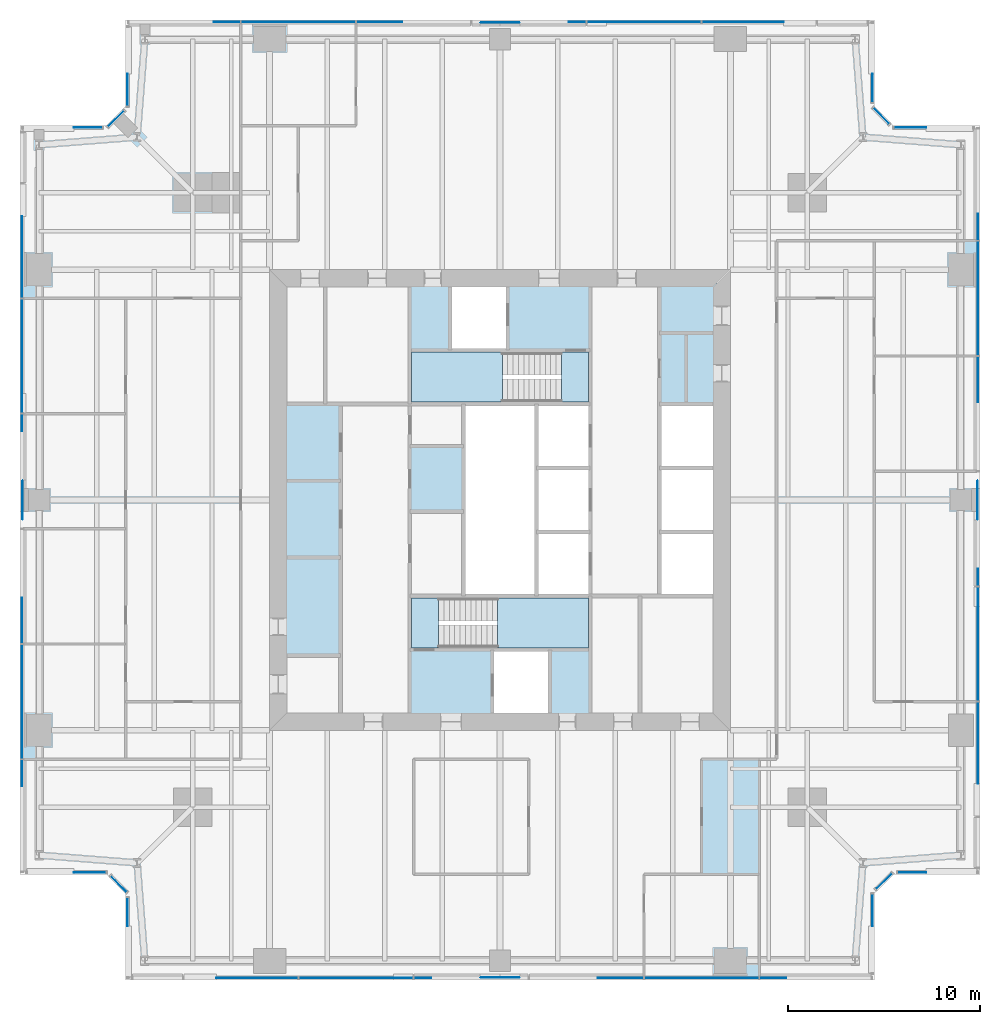
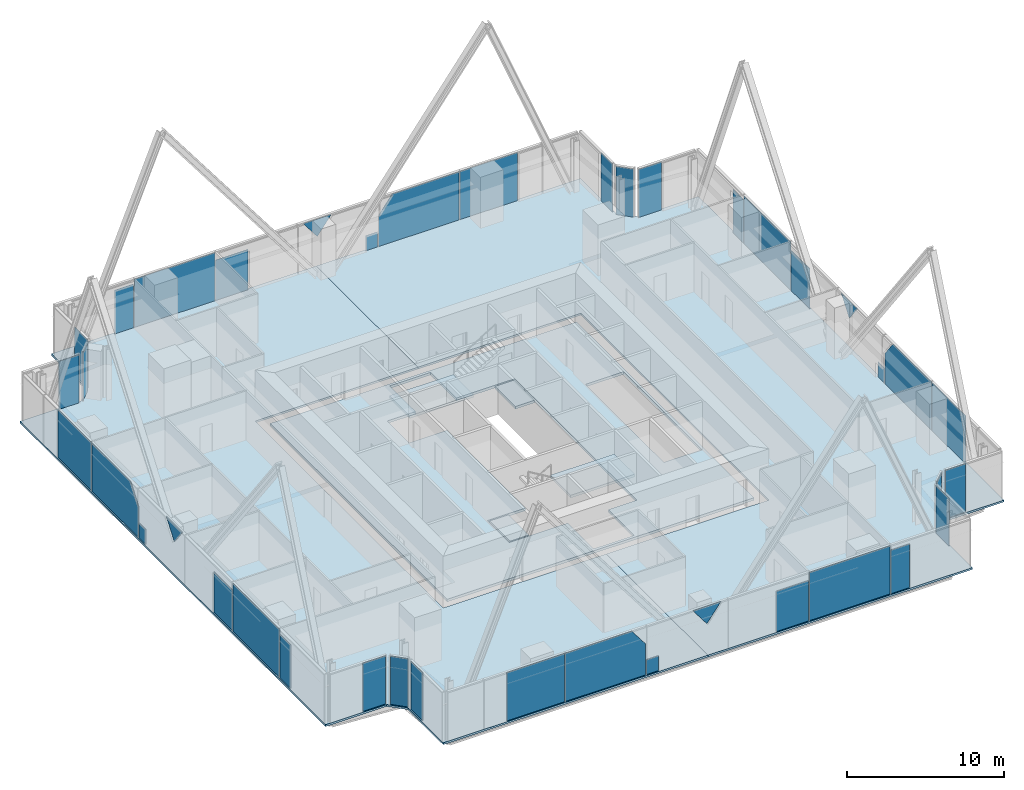
# One storey, part 8 of 14: 40 plates, 7 slabs, 18 elements without a shape of their own.
"""IFC4 building model written with IfcOpenShell, lengths in metres."""

import ifcopenshell
import ifcopenshell.guid

model = None  # the IFC model being written
_history = None  # IfcOwnerHistory: only IFC2X3 demands one
_inside = {}  # id of a spatial element -> (the spatial element, [elements in it])
_under = {}  # id of a project, library or spatial element -> (it, [spatial elements below it])
_declared = {}  # id of a project -> (the project, [libraries it declares])
_typed = {}  # id of a type object -> (the type object, [elements of that type])
_made_of = {}  # id of a material, layer set ... -> (it, [elements and type objects made of it])


def new_model(schema):
    """Start an empty IFC model of exactly this schema.

    Asked for "IFC4X3", IfcOpenShell would pick the latest addendum, in which some entities
    have other attributes; the version numbers below select the first issue.
    IFC2X3 requires an IfcOwnerHistory on every rooted entity: one is made here for all.
    """
    global model, _history
    if schema == "IFC4X3":
        model = ifcopenshell.file(schema_version=(4, 3, 0, 0))
    else:
        model = ifcopenshell.file(schema=schema)
    _inside.clear()
    _under.clear()
    _declared.clear()
    _typed.clear()
    _made_of.clear()
    _history = None
    if model.schema == "IFC2X3":
        org = make("IfcOrganization", Name="unknown")
        user = make(
            "IfcPersonAndOrganization",
            ThePerson=make("IfcPerson", FamilyName="unknown"),
            TheOrganization=org,
        )
        app = make(
            "IfcApplication",
            ApplicationDeveloper=org,
            Version="unknown",
            ApplicationFullName="unknown",
            ApplicationIdentifier="unknown",
        )
        _history = make(
            "IfcOwnerHistory",
            OwningUser=user,
            OwningApplication=app,
            ChangeAction="ADDED",
            CreationDate=0,
        )
    return model


def make(cls, **values):
    """One entity of the class cls with the attributes given. An attribute that is None is left unset."""
    return model.create_entity(
        cls, **{name: value for name, value in values.items() if value is not None}
    )


def rooted(cls, **values):
    """An entity with a GlobalId (a new one), such as an element, a storey or a relation."""
    return make(cls, GlobalId=ifcopenshell.guid.new(), OwnerHistory=_history, **values)


def si_unit(unit_type, name, prefix=None):
    """IfcSIUnit, for example si_unit("LENGTHUNIT", "METRE", prefix="MILLI")."""
    return make("IfcSIUnit", UnitType=unit_type, Prefix=prefix, Name=name)


def assignment(units):
    """IfcUnitAssignment: the units of a project."""
    return None if units is None else make("IfcUnitAssignment", Units=units)


def point(xyz):
    """IfcCartesianPoint."""
    return None if xyz is None else make("IfcCartesianPoint", Coordinates=xyz)


def direction(xyz):
    """IfcDirection."""
    return None if xyz is None else make("IfcDirection", DirectionRatios=xyz)


def frame(location, z_axis=None, x_axis=None):
    """IfcAxis2Placement3D, a coordinate frame: its origin and axes. An axis left out is left unset."""
    return make(
        "IfcAxis2Placement3D",
        Location=point(location),
        Axis=direction(z_axis),
        RefDirection=direction(x_axis),
    )


def frame_2d(location, x_axis=None):
    """IfcAxis2Placement2D, a coordinate frame in the plane: its origin and x axis."""
    return make(
        "IfcAxis2Placement2D", Location=point(location), RefDirection=direction(x_axis)
    )


def origin():
    """The frame at (0, 0, 0) with its axes left unset."""
    return frame((0.0, 0.0, 0.0))


def origin_2d():
    """The frame at (0, 0) in the plane with its x axis left unset."""
    return frame_2d((0.0, 0.0))


def place(relative_to, where):
    """IfcLocalPlacement: puts the frame where relative to a parent placement (None: the world)."""
    return make(
        "IfcLocalPlacement", PlacementRelTo=relative_to, RelativePlacement=where
    )


def context(
    kind, dimensions, precision=None, world=None, true_north=None, identifier=None
):
    """IfcGeometricRepresentationContext, for example the 3D "Model" context."""
    return make(
        "IfcGeometricRepresentationContext",
        ContextIdentifier=identifier,
        ContextType=kind,
        CoordinateSpaceDimension=dimensions,
        Precision=precision,
        WorldCoordinateSystem=world,
        TrueNorth=true_north,
    )


def subcontext(parent, identifier, kind, view, scale=None):
    """IfcGeometricRepresentationSubContext, for example "Body" below "Model"."""
    return make(
        "IfcGeometricRepresentationSubContext",
        ContextIdentifier=identifier,
        ContextType=kind,
        ParentContext=parent,
        TargetScale=scale,
        TargetView=view,
    )


def project(units=None, contexts=None):
    """IfcProject with its units and contexts."""
    return rooted(
        "IfcProject",
        Name="project",
        RepresentationContexts=contexts,
        UnitsInContext=assignment(units),
    )


def spatial(cls, under=None, at=None, **own):
    """A site, building, storey or space (cls), placed at a placement, below another one or the project."""
    s = rooted(cls, ObjectPlacement=at, **own)
    if under is not None:
        _under.setdefault(under.id(), (under, []))[1].append(s)
    return s


def polyline(points):
    """IfcPolyline through the points."""
    return make("IfcPolyline", Points=[point(p) for p in points])


def profile(cls, at=None, kind="AREA", **sizes):
    """A parametric profile (cls). Its sizes go by their IFC names, for example OverallWidth=200.0."""
    return make(cls, ProfileType=kind, Position=at, **sizes)


def rectangle(**sizes):
    """IfcRectangleProfileDef."""
    return profile("IfcRectangleProfileDef", **sizes)


def outline(outer, holes=None, kind="AREA"):
    """IfcArbitraryClosedProfileDef: a profile drawn as a closed curve; with holes, ...WithVoids."""
    if holes is None:
        return make("IfcArbitraryClosedProfileDef", ProfileType=kind, OuterCurve=outer)
    return make(
        "IfcArbitraryProfileDefWithVoids",
        ProfileType=kind,
        OuterCurve=outer,
        InnerCurves=holes,
    )


def extrude(swept, where, along, depth):
    """IfcExtrudedAreaSolid: the profile swept, set in the frame where, extruded along a direction by depth."""
    return make(
        "IfcExtrudedAreaSolid",
        SweptArea=swept,
        Position=where,
        ExtrudedDirection=direction(along),
        Depth=depth,
    )


def shape(context_of_items, identifier, shape_type, items):
    """IfcShapeRepresentation: the items that make up one representation, for example the "Body"."""
    return make(
        "IfcShapeRepresentation",
        ContextOfItems=context_of_items,
        RepresentationIdentifier=identifier,
        RepresentationType=shape_type,
        Items=items,
    )


def material(Name=None, Category=None):
    """IfcMaterial."""
    return make("IfcMaterial", Name=Name, Category=Category)


def layer(
    of_material, thickness, ventilated=None, Name=None, Category=None, Priority=None
):
    """IfcMaterialLayer: one layer of a wall or slab, of a material (None: an air gap)."""
    return make(
        "IfcMaterialLayer",
        Material=of_material,
        LayerThickness=thickness,
        IsVentilated=ventilated,
        Name=Name,
        Category=Category,
        Priority=Priority,
    )


def layer_set(layers, Name=None):
    """IfcMaterialLayerSet."""
    return make("IfcMaterialLayerSet", MaterialLayers=layers, LayerSetName=Name)


def made_of(thing, what):
    """Note that an element or type object is made of a material, layer set ...; save() writes the relation."""
    if what is not None:
        _made_of.setdefault(what.id(), (what, []))[1].append(thing)
    return thing


def type_object(cls, material=None, **own):
    """A type object (cls), such as IfcWallType, which elements share."""
    return made_of(rooted(cls, **own), material)


def element(
    cls,
    number,
    at=None,
    inside=None,
    cuts=None,
    type_object=None,
    material=None,
    context=None,
    identifier="Body",
    shape_type=None,
    held_by="IfcProductDefinitionShape",
    body=None,
    shapes=None,
    **own,
):
    """One element of the class cls, such as IfcWall. Its Tag is "e" and its number.

    at: its placement. inside: the storey or other place that contains it. cuts: it is an
    opening in that element (IfcRelVoidsElement). A single representation is given by context,
    identifier, shape_type and body (its items); several are given by shapes. held_by: the class
    of the entity that holds the representations. save() writes the other relations.
    """
    e = rooted(cls, Tag="e%d" % number, ObjectPlacement=at, **own)
    if body is not None:
        shapes = [shape(context, identifier, shape_type, body)]
    if shapes is not None:
        e.Representation = make(held_by, Representations=shapes)
    if inside is not None:
        _inside.setdefault(inside.id(), (inside, []))[1].append(e)
    if cuts is not None:
        rooted(
            "IfcRelVoidsElement", RelatingBuildingElement=cuts, RelatedOpeningElement=e
        )
    if type_object is not None:
        _typed.setdefault(type_object.id(), (type_object, []))[1].append(e)
    return made_of(e, material)


def aggregate(whole, parts):
    """IfcRelAggregates: a whole, such as a stair, and the parts it consists of."""
    return rooted("IfcRelAggregates", RelatingObject=whole, RelatedObjects=parts)


def save(model, path):
    """Write the relations noted so far, then the file.

    IfcRelAggregates (storeys below a building ...), IfcRelContainedInSpatialStructure (elements
    in a storey), IfcRelDefinesByType, IfcRelAssociatesMaterial and IfcRelDeclares: one each for
    every whole, place, type object, material and project.
    """
    for whole, parts in _under.values():
        aggregate(whole, parts)
    for where, things in _inside.values():
        rooted(
            "IfcRelContainedInSpatialStructure",
            RelatedElements=things,
            RelatingStructure=where,
        )
    for kind, things in _typed.values():
        rooted("IfcRelDefinesByType", RelatedObjects=things, RelatingType=kind)
    for what, things in _made_of.values():
        rooted("IfcRelAssociatesMaterial", RelatedObjects=things, RelatingMaterial=what)
    for by, libraries in _declared.values():
        rooted("IfcRelDeclares", RelatingContext=by, RelatedDefinitions=libraries)
    model.write(path)


model = new_model("IFC4")

# Units and contexts
model_context = context("Model", 3, precision=1e-05, world=origin(), true_north=direction((0.0, 1.0)))
body_context = subcontext(model_context, "Body", "Model", "MODEL_VIEW")
ifc_project = project(units=[si_unit("LENGTHUNIT", "METRE"), si_unit("AREAUNIT", "SQUARE_METRE"), si_unit("VOLUMEUNIT", "CUBIC_METRE"), si_unit("PLANEANGLEUNIT", "RADIAN"), si_unit("MASSUNIT", "GRAM", prefix="KILO")], contexts=[model_context])

# Site, building, storey
site_placement = place(None, origin())
site = spatial("IfcSite", under=ifc_project, at=site_placement, CompositionType="ELEMENT")
building_placement = place(site_placement, origin())
building = spatial("IfcBuilding", under=site, at=building_placement, Name="Fenwick Lantern Interchange", CompositionType="ELEMENT")
storey_placement = place(building_placement, frame((0.0, 0.0, 217.800048828125)))
storey = spatial("IfcBuildingStorey", under=building, at=storey_placement, Name="L51", CompositionType="ELEMENT", Elevation=217.800048828125)

# Slabs
ifc_material_1 = material(Name="Concrete f'c 35 MPa", Category="concrete")
ifc_layer_1 = layer(ifc_material_1, 0.199951171875)
ifc_layer_set_1 = layer_set([ifc_layer_1], Name="CORE FLOOR SLAB 200")
slab_type_1 = type_object("IfcSlabType", Name="CORE FLOOR SLAB 200", PredefinedType="FLOOR", material=ifc_layer_set_1)
slab_1_placement = place(storey_placement, frame((0.0, 0.0, -0.199951171875)))
element("IfcSlab", 1, at=slab_1_placement, inside=storey, type_object=slab_type_1, Name="L51/SLAB/CORE", PredefinedType="FLOOR", context=body_context, shape_type="SweptSolid", body=[
    extrude(outline(polyline([(13.699951171875, 36.300048828125), (36.300048828125, 36.300048828125), (36.300048828125, 13.699951171875), (13.699951171875, 13.699951171875), (13.699951171875, 36.300048828125)]), holes=[polyline([(24.60009765625, 13.89990234375), (27.60009765625, 13.89990234375), (27.60009765625, 17.199951171875), (29.699951171875, 17.199951171875), (29.699951171875, 20.0), (29.699951171875, 23.333251953125), (29.699951171875, 26.666748046875), (29.699951171875, 30.0), (29.699951171875, 32.800048828125), (25.39990234375, 32.800048828125), (25.39990234375, 36.10009765625), (22.39990234375, 36.10009765625), (22.39990234375, 32.800048828125), (20.300048828125, 32.800048828125), (20.300048828125, 30.0), (23.10009765625, 30.0), (23.10009765625, 20.0), (20.300048828125, 20.0), (20.300048828125, 17.199951171875), (24.60009765625, 17.199951171875), (24.60009765625, 13.89990234375)]), polyline([(33.300048828125, 23.333251953125), (33.300048828125, 20.0), (36.10009765625, 20.0), (36.10009765625, 23.333251953125), (36.10009765625, 26.666748046875), (36.10009765625, 30.0), (33.300048828125, 30.0), (33.300048828125, 26.666748046875), (33.300048828125, 23.333251953125)])]), origin(), (0.0, 0.0, 1.0), 0.199951171875),
])
ifc_material_2 = material(Name="Concrete f'c 35 MPa", Category="concrete")
ifc_layer_2 = layer(ifc_material_2, 0.14990234375)
ifc_layer_set_2 = layer_set([ifc_layer_2], Name="Concrete f'c 35 MPa")
slab_type_2 = type_object("IfcSlabType", Name="FLOOR SLAB 150", PredefinedType="FLOOR", material=ifc_layer_set_2)
slab_2_placement = place(storey_placement, frame((0.0, 0.0, -0.150146484375)))
element("IfcSlab", 2, at=slab_2_placement, inside=storey, type_object=slab_type_2, Name="L51/SLAB/FW", PredefinedType="FLOOR", context=body_context, shape_type="SweptSolid", body=[
    extrude(outline(polyline([(5.5, 0.0), (5.5, 4.5), (4.5, 5.5), (0.0, 5.5), (0.0, 44.5), (4.5, 44.5), (5.5, 45.5), (5.5, 50.0), (25.0, 50.0), (25.0, 37.0), (13.0, 37.0), (13.0, 13.0), (25.0, 13.0), (25.0, 0.0), (5.5, 0.0)])), origin(), (0.0, 0.0, 1.0), 0.150146484375),
])
slab_3_placement = place(storey_placement, frame((0.0, 0.0, -0.150146484375)))
element("IfcSlab", 3, at=slab_3_placement, inside=storey, type_object=slab_type_2, Name="L51/SLAB/FE", PredefinedType="FLOOR", context=body_context, shape_type="SweptSolid", body=[
    extrude(outline(polyline([(44.5, 50.0), (44.5, 45.5), (45.5, 44.5), (50.0, 44.5), (50.0, 5.5), (45.5, 5.5), (44.5, 4.5), (44.5, 0.0), (25.0, 0.0), (25.0, 13.0), (37.0, 13.0), (37.0, 37.0), (25.0, 37.0), (25.0, 50.0), (44.5, 50.0)])), origin(), (0.0, 0.0, 1.0), 0.150146484375),
])

# Curtain wall, plates
ifc_material_3 = material(Name="Aluminium curtain wall frame", Category="aluminium")
curtain_wall_type = type_object("IfcCurtainWallType", Name="OFFICE CURTAIN WALL", PredefinedType="USERDEFINED", material=ifc_material_3)
curtain_wall_1_placement = place(storey_placement, origin())
curtain_wall_1 = element("IfcCurtainWall", 4, at=curtain_wall_1_placement, inside=storey, type_object=curtain_wall_type, Name="Office curtain wall 01", ObjectType="OFFICE CURTAIN WALL", PredefinedType="USERDEFINED")
ifc_material_4 = material(Name="Vision glass, clear low-iron double glazed", Category="glass")
ifc_layer_3 = layer(ifc_material_4, 0.031982421875)
ifc_layer_set_3 = layer_set([ifc_layer_3], Name="OFFICE CURTAIN WALL PANEL 32")
plate_type = type_object("IfcPlateType", Name="OFFICE CURTAIN WALL PANEL 32", PredefinedType="CURTAIN_PANEL", material=ifc_layer_set_3)
plate_1_placement = place(storey_placement, frame((5.60009765625, 0.10009765625, 0.0), z_axis=(0.0, 0.0, 1.0), x_axis=(1.0, 0.0, 0.0)))
plate_1 = element("IfcPlate", 5, at=plate_1_placement, type_object=plate_type, Name="L51/CW/01/P01a", PredefinedType="CURTAIN_PANEL", context=body_context, shape_type="SweptSolid", body=[
    extrude(outline(polyline([(4.6279296875, 0.0), (8.867431640625, 0.0), (8.867431640625, 3.75), (4.6279296875, 3.75), (4.6279296875, 0.0)])), frame((0.0, 0.01611328125, 0.0), z_axis=(0.0, -1.0, 0.0), x_axis=(1.0, 0.0, 0.0)), (0.0, 0.0, 1.0), 0.031982421875),
])
plate_2_placement = place(storey_placement, frame((5.60009765625, 0.10009765625, 0.0), z_axis=(0.0, 0.0, 1.0), x_axis=(1.0, 0.0, 0.0)))
plate_2 = element("IfcPlate", 6, at=plate_2_placement, type_object=plate_type, Name="L51/CW/01/P02a", PredefinedType="CURTAIN_PANEL", context=body_context, shape_type="SweptSolid", body=[
    extrude(outline(polyline([(8.9326171875, 0.0), (14.867431640625, 0.0), (14.867431640625, 2.40771484375), (13.853515625, 3.75), (8.9326171875, 3.75), (8.9326171875, 0.0)])), frame((0.0, 0.01611328125, 0.0), z_axis=(0.0, -1.0, 0.0), x_axis=(1.0, 0.0, 0.0)), (0.0, 0.0, 1.0), 0.031982421875),
])
plate_3_placement = place(storey_placement, frame((5.60009765625, 0.10009765625, 0.0), z_axis=(0.0, 0.0, 1.0), x_axis=(1.0, 0.0, 0.0)))
plate_3 = element("IfcPlate", 7, at=plate_3_placement, type_object=plate_type, Name="L51/CW/01/P03a", PredefinedType="CURTAIN_PANEL", context=body_context, shape_type="SweptSolid", body=[
    extrude(outline(polyline([(14.9326171875, 0.0), (15.8076171875, 0.0), (15.8076171875, 1.163330078125), (14.9326171875, 1.163330078125), (14.9326171875, 0.0)])), frame((0.0, 0.01611328125, 0.0), z_axis=(0.0, -1.0, 0.0), x_axis=(1.0, 0.0, 0.0)), (0.0, 0.0, 1.0), 0.031982421875),
])
plate_4_placement = place(storey_placement, frame((5.60009765625, 0.10009765625, 2.380126953125), z_axis=(0.0, 0.0, 1.0), x_axis=(1.0, 0.0, 0.0)))
plate_4 = element("IfcPlate", 8, at=plate_4_placement, type_object=plate_type, Name="L51/CW/01/P03b", PredefinedType="CURTAIN_PANEL", context=body_context, shape_type="SweptSolid", body=[
    extrude(outline(polyline([(19.39990234375, 0.0), (20.434814453125, 1.369873046875), (18.365234375, 1.369873046875), (19.39990234375, 0.0)])), frame((0.0, 0.0498046875, 0.0), z_axis=(0.0, -1.0, 0.0), x_axis=(1.0, 0.0, 0.0)), (0.0, 0.0, 1.0), 0.031982421875),
])
plate_5_placement = place(storey_placement, frame((5.60009765625, 0.10009765625, 0.0), z_axis=(0.0, 0.0, 1.0), x_axis=(1.0, 0.0, 0.0)))
plate_5 = element("IfcPlate", 9, at=plate_5_placement, type_object=plate_type, Name="L51/CW/01/P04a", PredefinedType="CURTAIN_PANEL", context=body_context, shape_type="SweptSolid", body=[
    extrude(outline(polyline([(24.48876953125, 0.0), (26.867431640625, 0.0), (26.867431640625, 3.143798828125), (24.48876953125, 3.143798828125), (24.48876953125, 0.0)])), frame((0.0, 0.01611328125, 0.0), z_axis=(0.0, -1.0, 0.0), x_axis=(1.0, 0.0, 0.0)), (0.0, 0.0, 1.0), 0.031982421875),
])
plate_6_placement = place(storey_placement, frame((35.5, 0.10009765625, 0.0), z_axis=(0.0, 0.0, 1.0), x_axis=(1.0, 0.0, 0.0)))
plate_6 = element("IfcPlate", 10, at=plate_6_placement, type_object=plate_type, Name="L51/CW/01/P05", PredefinedType="CURTAIN_PANEL", context=body_context, shape_type="SweptSolid", body=[
    extrude(rectangle(XDim=5.93505859375, YDim=0.031982421875, at=origin_2d()), origin(), (0.0, 0.0, 1.0), 3.75),
])
plate_7_placement = place(storey_placement, frame((5.60009765625, 0.10009765625, 0.0), z_axis=(0.0, 0.0, 1.0), x_axis=(1.0, 0.0, 0.0)))
plate_7 = element("IfcPlate", 11, at=plate_7_placement, type_object=plate_type, Name="L51/CW/01/P06a", PredefinedType="CURTAIN_PANEL", context=body_context, shape_type="SweptSolid", body=[
    extrude(outline(polyline([(32.9326171875, 0.0), (34.3173828125, 0.0), (34.3173828125, 3.39599609375), (32.9326171875, 3.39599609375), (32.9326171875, 0.0)])), frame((0.0, 0.01611328125, 0.0), z_axis=(0.0, -1.0, 0.0), x_axis=(1.0, 0.0, 0.0)), (0.0, 0.0, 1.0), 0.031982421875),
])
aggregate(curtain_wall_1, [plate_1, plate_2, plate_3, plate_4, plate_5, plate_6, plate_7])

# Curtain wall, plate
curtain_wall_2_placement = place(storey_placement, origin())
curtain_wall_2 = element("IfcCurtainWall", 12, at=curtain_wall_2_placement, inside=storey, type_object=curtain_wall_type, Name="Office curtain wall 02", ObjectType="OFFICE CURTAIN WALL", PredefinedType="USERDEFINED")
plate_8_placement = place(storey_placement, frame((44.39990234375, 0.10009765625, 0.0), z_axis=(0.0, 0.0, 1.0), x_axis=(0.0, 1.0, 0.0)))
plate_8 = element("IfcPlate", 13, at=plate_8_placement, type_object=plate_type, Name="L51/CW/02/P00a", PredefinedType="CURTAIN_PANEL", context=body_context, shape_type="SweptSolid", body=[
    extrude(outline(polyline([(2.699951171875, 0.0), (4.37646484375, 0.0), (4.37646484375, 3.75), (2.699951171875, 3.75), (2.699951171875, 0.0)])), frame((0.0, 0.01611328125, 0.0), z_axis=(0.0, -1.0, 0.0), x_axis=(1.0, 0.0, 0.0)), (0.0, 0.0, 1.0), 0.031982421875),
])
aggregate(curtain_wall_2, [plate_8])

curtain_wall_3_placement = place(storey_placement, origin())
curtain_wall_3 = element("IfcCurtainWall", 14, at=curtain_wall_3_placement, inside=storey, type_object=curtain_wall_type, Name="Office curtain wall 03", ObjectType="OFFICE CURTAIN WALL", PredefinedType="USERDEFINED")
plate_9_placement = place(storey_placement, frame((45.0, 5.141357421875, 0.0), z_axis=(0.0, 0.0, 1.0), x_axis=(0.707106781187, 0.707106781187, 0.0)))
plate_9 = element("IfcPlate", 15, at=plate_9_placement, type_object=plate_type, Name="L51/CW/03/P00", PredefinedType="CURTAIN_PANEL", context=body_context, shape_type="SweptSolid", body=[
    extrude(rectangle(XDim=1.1669921875, YDim=0.031982421875, at=origin_2d()), origin(), (0.0, 0.0, 1.0), 3.75),
])
aggregate(curtain_wall_3, [plate_9])

curtain_wall_4_placement = place(storey_placement, origin())
curtain_wall_4 = element("IfcCurtainWall", 16, at=curtain_wall_4_placement, inside=storey, type_object=curtain_wall_type, Name="Office curtain wall 04", ObjectType="OFFICE CURTAIN WALL", PredefinedType="USERDEFINED")
plate_10_placement = place(storey_placement, frame((45.45849609375, 5.60009765625, 0.0), z_axis=(0.0, 0.0, 1.0), x_axis=(1.0, 0.0, 0.0)))
plate_10 = element("IfcPlate", 17, at=plate_10_placement, type_object=plate_type, Name="L51/CW/04/P00a", PredefinedType="CURTAIN_PANEL", context=body_context, shape_type="SweptSolid", body=[
    extrude(outline(polyline([(0.264892578125, 0.0), (1.741455078125, 0.0), (1.741455078125, 3.75), (0.264892578125, 3.75), (0.264892578125, 0.0)])), frame((0.0, 0.01611328125, 0.0), z_axis=(0.0, -1.0, 0.0), x_axis=(1.0, 0.0, 0.0)), (0.0, 0.0, 1.0), 0.031982421875),
])
aggregate(curtain_wall_4, [plate_10])

# Curtain wall, plates
curtain_wall_5_placement = place(storey_placement, origin())
curtain_wall_5 = element("IfcCurtainWall", 18, at=curtain_wall_5_placement, inside=storey, type_object=curtain_wall_type, Name="Office curtain wall 05", ObjectType="OFFICE CURTAIN WALL", PredefinedType="USERDEFINED")
plate_11_placement = place(storey_placement, frame((49.89990234375, 5.60009765625, 0.0), z_axis=(0.0, 0.0, 1.0), x_axis=(0.0, 1.0, 0.0)))
plate_11 = element("IfcPlate", 19, at=plate_11_placement, type_object=plate_type, Name="L51/CW/05/P01a", PredefinedType="CURTAIN_PANEL", context=body_context, shape_type="SweptSolid", body=[
    extrude(outline(polyline([(4.6279296875, 0.0), (8.867431640625, 0.0), (8.867431640625, 3.75), (4.6279296875, 3.75), (4.6279296875, 0.0)])), frame((0.0, 0.01611328125, 0.0), z_axis=(0.0, -1.0, 0.0), x_axis=(1.0, 0.0, 0.0)), (0.0, 0.0, 1.0), 0.031982421875),
])
plate_12_placement = place(storey_placement, frame((49.89990234375, 5.60009765625, 0.0), z_axis=(0.0, 0.0, 1.0), x_axis=(0.0, 1.0, 0.0)))
plate_12 = element("IfcPlate", 20, at=plate_12_placement, type_object=plate_type, Name="L51/CW/05/P02a", PredefinedType="CURTAIN_PANEL", context=body_context, shape_type="SweptSolid", body=[
    extrude(outline(polyline([(8.9326171875, 0.0), (14.867431640625, 0.0), (14.867431640625, 2.40771484375), (13.853515625, 3.75), (8.9326171875, 3.75), (8.9326171875, 0.0)])), frame((0.0, 0.01611328125, 0.0), z_axis=(0.0, -1.0, 0.0), x_axis=(1.0, 0.0, 0.0)), (0.0, 0.0, 1.0), 0.031982421875),
])
plate_13_placement = place(storey_placement, frame((49.89990234375, 5.60009765625, 0.0), z_axis=(0.0, 0.0, 1.0), x_axis=(0.0, 1.0, 0.0)))
plate_13 = element("IfcPlate", 21, at=plate_13_placement, type_object=plate_type, Name="L51/CW/05/P03a", PredefinedType="CURTAIN_PANEL", context=body_context, shape_type="SweptSolid", body=[
    extrude(outline(polyline([(14.9326171875, 0.0), (15.8076171875, 0.0), (15.8076171875, 1.163330078125), (14.9326171875, 1.163330078125), (14.9326171875, 0.0)])), frame((0.0, 0.01611328125, 0.0), z_axis=(0.0, -1.0, 0.0), x_axis=(1.0, 0.0, 0.0)), (0.0, 0.0, 1.0), 0.031982421875),
])
plate_14_placement = place(storey_placement, frame((49.89990234375, 5.60009765625, 2.380126953125), z_axis=(0.0, 0.0, 1.0), x_axis=(0.0, 1.0, 0.0)))
plate_14 = element("IfcPlate", 22, at=plate_14_placement, type_object=plate_type, Name="L51/CW/05/P03b", PredefinedType="CURTAIN_PANEL", context=body_context, shape_type="SweptSolid", body=[
    extrude(outline(polyline([(19.39990234375, 0.0), (20.434814453125, 1.369873046875), (18.365234375, 1.369873046875), (19.39990234375, 0.0)])), frame((0.0, 0.0498046875, 0.0), z_axis=(0.0, -1.0, 0.0), x_axis=(1.0, 0.0, 0.0)), (0.0, 0.0, 1.0), 0.031982421875),
])
plate_15_placement = place(storey_placement, frame((49.89990234375, 5.60009765625, 0.0), z_axis=(0.0, 0.0, 1.0), x_axis=(0.0, 1.0, 0.0)))
plate_15 = element("IfcPlate", 23, at=plate_15_placement, type_object=plate_type, Name="L51/CW/05/P04a", PredefinedType="CURTAIN_PANEL", context=body_context, shape_type="SweptSolid", body=[
    extrude(outline(polyline([(24.48876953125, 0.0), (26.867431640625, 0.0), (26.867431640625, 3.143798828125), (24.48876953125, 3.143798828125), (24.48876953125, 0.0)])), frame((0.0, 0.01611328125, 0.0), z_axis=(0.0, -1.0, 0.0), x_axis=(1.0, 0.0, 0.0)), (0.0, 0.0, 1.0), 0.031982421875),
])
plate_16_placement = place(storey_placement, frame((49.89990234375, 35.5, 0.0), z_axis=(0.0, 0.0, 1.0), x_axis=(0.0, 1.0, 0.0)))
plate_16 = element("IfcPlate", 24, at=plate_16_placement, type_object=plate_type, Name="L51/CW/05/P05", PredefinedType="CURTAIN_PANEL", context=body_context, shape_type="SweptSolid", body=[
    extrude(rectangle(XDim=5.93505859375, YDim=0.031982421875, at=origin_2d()), origin(), (0.0, 0.0, 1.0), 3.75),
])
plate_17_placement = place(storey_placement, frame((49.89990234375, 5.60009765625, 0.0), z_axis=(0.0, 0.0, 1.0), x_axis=(0.0, 1.0, 0.0)))
plate_17 = element("IfcPlate", 25, at=plate_17_placement, type_object=plate_type, Name="L51/CW/05/P06a", PredefinedType="CURTAIN_PANEL", context=body_context, shape_type="SweptSolid", body=[
    extrude(outline(polyline([(32.9326171875, 0.0), (34.3173828125, 0.0), (34.3173828125, 3.39599609375), (32.9326171875, 3.39599609375), (32.9326171875, 0.0)])), frame((0.0, 0.01611328125, 0.0), z_axis=(0.0, -1.0, 0.0), x_axis=(1.0, 0.0, 0.0)), (0.0, 0.0, 1.0), 0.031982421875),
])
aggregate(curtain_wall_5, [plate_11, plate_12, plate_13, plate_14, plate_15, plate_16, plate_17])

# Curtain wall, plate
curtain_wall_6_placement = place(storey_placement, origin())
curtain_wall_6 = element("IfcCurtainWall", 26, at=curtain_wall_6_placement, inside=storey, type_object=curtain_wall_type, Name="Office curtain wall 06", ObjectType="OFFICE CURTAIN WALL", PredefinedType="USERDEFINED")
plate_18_placement = place(storey_placement, frame((49.89990234375, 44.39990234375, 0.0), z_axis=(0.0, 0.0, 1.0), x_axis=(-1.0, 0.0, 0.0)))
plate_18 = element("IfcPlate", 27, at=plate_18_placement, type_object=plate_type, Name="L51/CW/06/P00a", PredefinedType="CURTAIN_PANEL", context=body_context, shape_type="SweptSolid", body=[
    extrude(outline(polyline([(2.699951171875, 0.0), (4.37646484375, 0.0), (4.37646484375, 3.75), (2.699951171875, 3.75), (2.699951171875, 0.0)])), frame((0.0, 0.01611328125, 0.0), z_axis=(0.0, -1.0, 0.0), x_axis=(1.0, 0.0, 0.0)), (0.0, 0.0, 1.0), 0.031982421875),
])
aggregate(curtain_wall_6, [plate_18])

curtain_wall_7_placement = place(storey_placement, origin())
curtain_wall_7 = element("IfcCurtainWall", 28, at=curtain_wall_7_placement, inside=storey, type_object=curtain_wall_type, Name="Office curtain wall 07", ObjectType="OFFICE CURTAIN WALL", PredefinedType="USERDEFINED")
plate_19_placement = place(storey_placement, frame((44.858642578125, 45.0, 0.0), z_axis=(0.0, 0.0, 1.0), x_axis=(-0.707106781187, 0.707106781187, 0.0)))
plate_19 = element("IfcPlate", 29, at=plate_19_placement, type_object=plate_type, Name="L51/CW/07/P00", PredefinedType="CURTAIN_PANEL", context=body_context, shape_type="SweptSolid", body=[
    extrude(rectangle(XDim=1.1669921875, YDim=0.031982421875, at=origin_2d()), origin(), (0.0, 0.0, 1.0), 3.75),
])
aggregate(curtain_wall_7, [plate_19])

curtain_wall_8_placement = place(storey_placement, origin())
curtain_wall_8 = element("IfcCurtainWall", 30, at=curtain_wall_8_placement, inside=storey, type_object=curtain_wall_type, Name="Office curtain wall 08", ObjectType="OFFICE CURTAIN WALL", PredefinedType="USERDEFINED")
plate_20_placement = place(storey_placement, frame((44.39990234375, 45.45849609375, 0.0), z_axis=(0.0, 0.0, 1.0), x_axis=(0.0, 1.0, 0.0)))
plate_20 = element("IfcPlate", 31, at=plate_20_placement, type_object=plate_type, Name="L51/CW/08/P00a", PredefinedType="CURTAIN_PANEL", context=body_context, shape_type="SweptSolid", body=[
    extrude(outline(polyline([(0.264892578125, 0.0), (1.741455078125, 0.0), (1.741455078125, 3.75), (0.264892578125, 3.75), (0.264892578125, 0.0)])), frame((0.0, 0.01611328125, 0.0), z_axis=(0.0, -1.0, 0.0), x_axis=(1.0, 0.0, 0.0)), (0.0, 0.0, 1.0), 0.031982421875),
])
aggregate(curtain_wall_8, [plate_20])

# Curtain wall, plates
curtain_wall_9_placement = place(storey_placement, origin())
curtain_wall_9 = element("IfcCurtainWall", 32, at=curtain_wall_9_placement, inside=storey, type_object=curtain_wall_type, Name="Office curtain wall 09", ObjectType="OFFICE CURTAIN WALL", PredefinedType="USERDEFINED")
plate_21_placement = place(storey_placement, frame((44.39990234375, 49.89990234375, 0.0), z_axis=(0.0, 0.0, 1.0), x_axis=(-1.0, 0.0, 0.0)))
plate_21 = element("IfcPlate", 33, at=plate_21_placement, type_object=plate_type, Name="L51/CW/09/P01a", PredefinedType="CURTAIN_PANEL", context=body_context, shape_type="SweptSolid", body=[
    extrude(outline(polyline([(4.6279296875, 0.0), (8.867431640625, 0.0), (8.867431640625, 3.75), (4.6279296875, 3.75), (4.6279296875, 0.0)])), frame((0.0, 0.01611328125, 0.0), z_axis=(0.0, -1.0, 0.0), x_axis=(1.0, 0.0, 0.0)), (0.0, 0.0, 1.0), 0.031982421875),
])
plate_22_placement = place(storey_placement, frame((44.39990234375, 49.89990234375, 0.0), z_axis=(0.0, 0.0, 1.0), x_axis=(-1.0, 0.0, 0.0)))
plate_22 = element("IfcPlate", 34, at=plate_22_placement, type_object=plate_type, Name="L51/CW/09/P02a", PredefinedType="CURTAIN_PANEL", context=body_context, shape_type="SweptSolid", body=[
    extrude(outline(polyline([(8.9326171875, 0.0), (14.867431640625, 0.0), (14.867431640625, 2.40771484375), (13.853515625, 3.75), (8.9326171875, 3.75), (8.9326171875, 0.0)])), frame((0.0, 0.01611328125, 0.0), z_axis=(0.0, -1.0, 0.0), x_axis=(1.0, 0.0, 0.0)), (0.0, 0.0, 1.0), 0.031982421875),
])
plate_23_placement = place(storey_placement, frame((44.39990234375, 49.89990234375, 0.0), z_axis=(0.0, 0.0, 1.0), x_axis=(-1.0, 0.0, 0.0)))
plate_23 = element("IfcPlate", 35, at=plate_23_placement, type_object=plate_type, Name="L51/CW/09/P03a", PredefinedType="CURTAIN_PANEL", context=body_context, shape_type="SweptSolid", body=[
    extrude(outline(polyline([(14.9326171875, 0.0), (15.8076171875, 0.0), (15.8076171875, 1.163330078125), (14.9326171875, 1.163330078125), (14.9326171875, 0.0)])), frame((0.0, 0.01611328125, 0.0), z_axis=(0.0, -1.0, 0.0), x_axis=(1.0, 0.0, 0.0)), (0.0, 0.0, 1.0), 0.031982421875),
])
plate_24_placement = place(storey_placement, frame((44.39990234375, 49.89990234375, 2.380126953125), z_axis=(0.0, 0.0, 1.0), x_axis=(-1.0, 0.0, 0.0)))
plate_24 = element("IfcPlate", 36, at=plate_24_placement, type_object=plate_type, Name="L51/CW/09/P03b", PredefinedType="CURTAIN_PANEL", context=body_context, shape_type="SweptSolid", body=[
    extrude(outline(polyline([(19.39990234375, 0.0), (20.434814453125, 1.369873046875), (18.365234375, 1.369873046875), (19.39990234375, 0.0)])), frame((0.0, 0.0498046875, 0.0), z_axis=(0.0, -1.0, 0.0), x_axis=(1.0, 0.0, 0.0)), (0.0, 0.0, 1.0), 0.031982421875),
])
plate_25_placement = place(storey_placement, frame((44.39990234375, 49.89990234375, 0.0), z_axis=(0.0, 0.0, 1.0), x_axis=(-1.0, 0.0, 0.0)))
plate_25 = element("IfcPlate", 37, at=plate_25_placement, type_object=plate_type, Name="L51/CW/09/P04a", PredefinedType="CURTAIN_PANEL", context=body_context, shape_type="SweptSolid", body=[
    extrude(outline(polyline([(24.48876953125, 0.0), (26.867431640625, 0.0), (26.867431640625, 3.143798828125), (24.48876953125, 3.143798828125), (24.48876953125, 0.0)])), frame((0.0, 0.01611328125, 0.0), z_axis=(0.0, -1.0, 0.0), x_axis=(1.0, 0.0, 0.0)), (0.0, 0.0, 1.0), 0.031982421875),
])
plate_26_placement = place(storey_placement, frame((14.5, 49.89990234375, 0.0), z_axis=(0.0, 0.0, 1.0), x_axis=(-1.0, 0.0, 0.0)))
plate_26 = element("IfcPlate", 38, at=plate_26_placement, type_object=plate_type, Name="L51/CW/09/P05", PredefinedType="CURTAIN_PANEL", context=body_context, shape_type="SweptSolid", body=[
    extrude(rectangle(XDim=5.93505859375, YDim=0.031982421875, at=origin_2d()), origin(), (0.0, 0.0, 1.0), 3.75),
])
plate_27_placement = place(storey_placement, frame((44.39990234375, 49.89990234375, 0.0), z_axis=(0.0, 0.0, 1.0), x_axis=(-1.0, 0.0, 0.0)))
plate_27 = element("IfcPlate", 39, at=plate_27_placement, type_object=plate_type, Name="L51/CW/09/P06a", PredefinedType="CURTAIN_PANEL", context=body_context, shape_type="SweptSolid", body=[
    extrude(outline(polyline([(32.9326171875, 0.0), (34.3173828125, 0.0), (34.3173828125, 3.39599609375), (32.9326171875, 3.39599609375), (32.9326171875, 0.0)])), frame((0.0, 0.01611328125, 0.0), z_axis=(0.0, -1.0, 0.0), x_axis=(1.0, 0.0, 0.0)), (0.0, 0.0, 1.0), 0.031982421875),
])
aggregate(curtain_wall_9, [plate_21, plate_22, plate_23, plate_24, plate_25, plate_26, plate_27])

# Curtain wall, plate
curtain_wall_10_placement = place(storey_placement, origin())
curtain_wall_10 = element("IfcCurtainWall", 40, at=curtain_wall_10_placement, inside=storey, type_object=curtain_wall_type, Name="Office curtain wall 10", ObjectType="OFFICE CURTAIN WALL", PredefinedType="USERDEFINED")
plate_28_placement = place(storey_placement, frame((5.60009765625, 49.89990234375, 0.0), z_axis=(0.0, 0.0, 1.0), x_axis=(0.0, -1.0, 0.0)))
plate_28 = element("IfcPlate", 41, at=plate_28_placement, type_object=plate_type, Name="L51/CW/10/P00a", PredefinedType="CURTAIN_PANEL", context=body_context, shape_type="SweptSolid", body=[
    extrude(outline(polyline([(2.699951171875, 0.0), (4.37646484375, 0.0), (4.37646484375, 3.75), (2.699951171875, 3.75), (2.699951171875, 0.0)])), frame((0.0, 0.01611328125, 0.0), z_axis=(0.0, -1.0, 0.0), x_axis=(1.0, 0.0, 0.0)), (0.0, 0.0, 1.0), 0.031982421875),
])
aggregate(curtain_wall_10, [plate_28])

curtain_wall_11_placement = place(storey_placement, origin())
curtain_wall_11 = element("IfcCurtainWall", 42, at=curtain_wall_11_placement, inside=storey, type_object=curtain_wall_type, Name="Office curtain wall 11", ObjectType="OFFICE CURTAIN WALL", PredefinedType="USERDEFINED")
plate_29_placement = place(storey_placement, frame((5.0, 44.858642578125, 0.0), z_axis=(0.0, 0.0, 1.0), x_axis=(-0.707106781187, -0.707106781187, 0.0)))
plate_29 = element("IfcPlate", 43, at=plate_29_placement, type_object=plate_type, Name="L51/CW/11/P00", PredefinedType="CURTAIN_PANEL", context=body_context, shape_type="SweptSolid", body=[
    extrude(rectangle(XDim=1.1669921875, YDim=0.031982421875, at=origin_2d()), origin(), (0.0, 0.0, 1.0), 3.75),
])
aggregate(curtain_wall_11, [plate_29])

curtain_wall_12_placement = place(storey_placement, origin())
curtain_wall_12 = element("IfcCurtainWall", 44, at=curtain_wall_12_placement, inside=storey, type_object=curtain_wall_type, Name="Office curtain wall 12", ObjectType="OFFICE CURTAIN WALL", PredefinedType="USERDEFINED")
plate_30_placement = place(storey_placement, frame((4.54150390625, 44.39990234375, 0.0), z_axis=(0.0, 0.0, 1.0), x_axis=(-1.0, 0.0, 0.0)))
plate_30 = element("IfcPlate", 45, at=plate_30_placement, type_object=plate_type, Name="L51/CW/12/P00a", PredefinedType="CURTAIN_PANEL", context=body_context, shape_type="SweptSolid", body=[
    extrude(outline(polyline([(0.264892578125, 0.0), (1.741455078125, 0.0), (1.741455078125, 3.75), (0.264892578125, 3.75), (0.264892578125, 0.0)])), frame((0.0, 0.01611328125, 0.0), z_axis=(0.0, -1.0, 0.0), x_axis=(1.0, 0.0, 0.0)), (0.0, 0.0, 1.0), 0.031982421875),
])
aggregate(curtain_wall_12, [plate_30])

# Curtain wall, plates
curtain_wall_13_placement = place(storey_placement, origin())
curtain_wall_13 = element("IfcCurtainWall", 46, at=curtain_wall_13_placement, inside=storey, type_object=curtain_wall_type, Name="Office curtain wall 13", ObjectType="OFFICE CURTAIN WALL", PredefinedType="USERDEFINED")
plate_31_placement = place(storey_placement, frame((0.10009765625, 44.39990234375, 0.0), z_axis=(0.0, 0.0, 1.0), x_axis=(0.0, -1.0, 0.0)))
plate_31 = element("IfcPlate", 47, at=plate_31_placement, type_object=plate_type, Name="L51/CW/13/P01a", PredefinedType="CURTAIN_PANEL", context=body_context, shape_type="SweptSolid", body=[
    extrude(outline(polyline([(4.6279296875, 0.0), (8.867431640625, 0.0), (8.867431640625, 3.75), (4.6279296875, 3.75), (4.6279296875, 0.0)])), frame((0.0, 0.01611328125, 0.0), z_axis=(0.0, -1.0, 0.0), x_axis=(1.0, 0.0, 0.0)), (0.0, 0.0, 1.0), 0.031982421875),
])
plate_32_placement = place(storey_placement, frame((0.10009765625, 44.39990234375, 0.0), z_axis=(0.0, 0.0, 1.0), x_axis=(0.0, -1.0, 0.0)))
plate_32 = element("IfcPlate", 48, at=plate_32_placement, type_object=plate_type, Name="L51/CW/13/P02a", PredefinedType="CURTAIN_PANEL", context=body_context, shape_type="SweptSolid", body=[
    extrude(outline(polyline([(8.9326171875, 0.0), (14.867431640625, 0.0), (14.867431640625, 2.40771484375), (13.853515625, 3.75), (8.9326171875, 3.75), (8.9326171875, 0.0)])), frame((0.0, 0.01611328125, 0.0), z_axis=(0.0, -1.0, 0.0), x_axis=(1.0, 0.0, 0.0)), (0.0, 0.0, 1.0), 0.031982421875),
])
plate_33_placement = place(storey_placement, frame((0.10009765625, 44.39990234375, 0.0), z_axis=(0.0, 0.0, 1.0), x_axis=(0.0, -1.0, 0.0)))
plate_33 = element("IfcPlate", 49, at=plate_33_placement, type_object=plate_type, Name="L51/CW/13/P03a", PredefinedType="CURTAIN_PANEL", context=body_context, shape_type="SweptSolid", body=[
    extrude(outline(polyline([(14.9326171875, 0.0), (15.8076171875, 0.0), (15.8076171875, 1.163330078125), (14.9326171875, 1.163330078125), (14.9326171875, 0.0)])), frame((0.0, 0.01611328125, 0.0), z_axis=(0.0, -1.0, 0.0), x_axis=(1.0, 0.0, 0.0)), (0.0, 0.0, 1.0), 0.031982421875),
])
plate_34_placement = place(storey_placement, frame((0.10009765625, 44.39990234375, 2.380126953125), z_axis=(0.0, 0.0, 1.0), x_axis=(0.0, -1.0, 0.0)))
plate_34 = element("IfcPlate", 50, at=plate_34_placement, type_object=plate_type, Name="L51/CW/13/P03b", PredefinedType="CURTAIN_PANEL", context=body_context, shape_type="SweptSolid", body=[
    extrude(outline(polyline([(19.39990234375, 0.0), (20.434814453125, 1.369873046875), (18.365234375, 1.369873046875), (19.39990234375, 0.0)])), frame((0.0, 0.0498046875, 0.0), z_axis=(0.0, -1.0, 0.0), x_axis=(1.0, 0.0, 0.0)), (0.0, 0.0, 1.0), 0.031982421875),
])
plate_35_placement = place(storey_placement, frame((0.10009765625, 44.39990234375, 0.0), z_axis=(0.0, 0.0, 1.0), x_axis=(0.0, -1.0, 0.0)))
plate_35 = element("IfcPlate", 51, at=plate_35_placement, type_object=plate_type, Name="L51/CW/13/P04a", PredefinedType="CURTAIN_PANEL", context=body_context, shape_type="SweptSolid", body=[
    extrude(outline(polyline([(24.48876953125, 0.0), (26.867431640625, 0.0), (26.867431640625, 3.143798828125), (24.48876953125, 3.143798828125), (24.48876953125, 0.0)])), frame((0.0, 0.01611328125, 0.0), z_axis=(0.0, -1.0, 0.0), x_axis=(1.0, 0.0, 0.0)), (0.0, 0.0, 1.0), 0.031982421875),
])
plate_36_placement = place(storey_placement, frame((0.10009765625, 14.5, 0.0), z_axis=(0.0, 0.0, 1.0), x_axis=(0.0, -1.0, 0.0)))
plate_36 = element("IfcPlate", 52, at=plate_36_placement, type_object=plate_type, Name="L51/CW/13/P05", PredefinedType="CURTAIN_PANEL", context=body_context, shape_type="SweptSolid", body=[
    extrude(rectangle(XDim=5.93505859375, YDim=0.031982421875, at=origin_2d()), origin(), (0.0, 0.0, 1.0), 3.75),
])
plate_37_placement = place(storey_placement, frame((0.10009765625, 44.39990234375, 0.0), z_axis=(0.0, 0.0, 1.0), x_axis=(0.0, -1.0, 0.0)))
plate_37 = element("IfcPlate", 53, at=plate_37_placement, type_object=plate_type, Name="L51/CW/13/P06a", PredefinedType="CURTAIN_PANEL", context=body_context, shape_type="SweptSolid", body=[
    extrude(outline(polyline([(32.9326171875, 0.0), (34.3173828125, 0.0), (34.3173828125, 3.39599609375), (32.9326171875, 3.39599609375), (32.9326171875, 0.0)])), frame((0.0, 0.01611328125, 0.0), z_axis=(0.0, -1.0, 0.0), x_axis=(1.0, 0.0, 0.0)), (0.0, 0.0, 1.0), 0.031982421875),
])
aggregate(curtain_wall_13, [plate_31, plate_32, plate_33, plate_34, plate_35, plate_36, plate_37])

# Curtain wall, plate
curtain_wall_14_placement = place(storey_placement, origin())
curtain_wall_14 = element("IfcCurtainWall", 54, at=curtain_wall_14_placement, inside=storey, type_object=curtain_wall_type, Name="Office curtain wall 14", ObjectType="OFFICE CURTAIN WALL", PredefinedType="USERDEFINED")
plate_38_placement = place(storey_placement, frame((0.10009765625, 5.60009765625, 0.0), z_axis=(0.0, 0.0, 1.0), x_axis=(1.0, 0.0, 0.0)))
plate_38 = element("IfcPlate", 55, at=plate_38_placement, type_object=plate_type, Name="L51/CW/14/P00a", PredefinedType="CURTAIN_PANEL", context=body_context, shape_type="SweptSolid", body=[
    extrude(outline(polyline([(2.699951171875, 0.0), (4.37646484375, 0.0), (4.37646484375, 3.75), (2.699951171875, 3.75), (2.699951171875, 0.0)])), frame((0.0, 0.01611328125, 0.0), z_axis=(0.0, -1.0, 0.0), x_axis=(1.0, 0.0, 0.0)), (0.0, 0.0, 1.0), 0.031982421875),
])
aggregate(curtain_wall_14, [plate_38])

curtain_wall_15_placement = place(storey_placement, origin())
curtain_wall_15 = element("IfcCurtainWall", 56, at=curtain_wall_15_placement, inside=storey, type_object=curtain_wall_type, Name="Office curtain wall 15", ObjectType="OFFICE CURTAIN WALL", PredefinedType="USERDEFINED")
plate_39_placement = place(storey_placement, frame((5.141357421875, 5.0, 0.0), z_axis=(0.0, 0.0, 1.0), x_axis=(0.707106781187, -0.707106781187, 0.0)))
plate_39 = element("IfcPlate", 57, at=plate_39_placement, type_object=plate_type, Name="L51/CW/15/P00", PredefinedType="CURTAIN_PANEL", context=body_context, shape_type="SweptSolid", body=[
    extrude(rectangle(XDim=1.1669921875, YDim=0.031982421875, at=origin_2d()), origin(), (0.0, 0.0, 1.0), 3.75),
])
aggregate(curtain_wall_15, [plate_39])

curtain_wall_16_placement = place(storey_placement, origin())
curtain_wall_16 = element("IfcCurtainWall", 58, at=curtain_wall_16_placement, inside=storey, type_object=curtain_wall_type, Name="Office curtain wall 16", ObjectType="OFFICE CURTAIN WALL", PredefinedType="USERDEFINED")
plate_40_placement = place(storey_placement, frame((5.60009765625, 4.54150390625, 0.0), z_axis=(0.0, 0.0, 1.0), x_axis=(0.0, -1.0, 0.0)))
plate_40 = element("IfcPlate", 59, at=plate_40_placement, type_object=plate_type, Name="L51/CW/16/P00a", PredefinedType="CURTAIN_PANEL", context=body_context, shape_type="SweptSolid", body=[
    extrude(outline(polyline([(0.264892578125, 0.0), (1.741455078125, 0.0), (1.741455078125, 3.75), (0.264892578125, 3.75), (0.264892578125, 0.0)])), frame((0.0, 0.01611328125, 0.0), z_axis=(0.0, -1.0, 0.0), x_axis=(1.0, 0.0, 0.0)), (0.0, 0.0, 1.0), 0.031982421875),
])
aggregate(curtain_wall_16, [plate_40])

# Stair, slabs
ifc_material_5 = material(Name="Precast concrete f'c 35 MPa", Category="concrete")
stair_type = type_object("IfcStairType", Name="EXIT STAIR 1200", PredefinedType="HALF_TURN_STAIR", material=ifc_material_5)
stair_1_placement = place(storey_placement, origin())
stair_1 = element("IfcStair", 60, at=stair_1_placement, inside=storey, type_object=stair_type, Name="Exit stair ST1", PredefinedType="HALF_TURN_STAIR")
ifc_layer_4 = layer(ifc_material_1, 0.199951171875)
ifc_layer_set_4 = layer_set([ifc_layer_4], Name="STAIR LANDING 200")
slab_type_3 = type_object("IfcSlabType", Name="STAIR LANDING 200", PredefinedType="LANDING", material=ifc_layer_set_4)
slab_4_placement = place(storey_placement, frame((0.0, 0.0, 1.800048828125)))
slab_4 = element("IfcSlab", 61, at=slab_4_placement, type_object=slab_type_3, Name="ST1 landing 1", PredefinedType="LANDING", context=body_context, shape_type="SweptSolid", body=[
    extrude(outline(polyline([(24.8798828125, 17.300048828125), (29.60009765625, 17.300048828125), (29.60009765625, 19.89990234375), (24.8798828125, 19.89990234375), (24.8798828125, 17.300048828125)])), origin(), (0.0, 0.0, 1.0), 0.199951171875),
])
slab_5_placement = place(storey_placement, frame((0.0, 0.0, -0.199951171875)))
slab_5 = element("IfcSlab", 62, at=slab_5_placement, type_object=slab_type_3, Name="ST1 landing 2", PredefinedType="LANDING", context=body_context, shape_type="SweptSolid", body=[
    extrude(outline(polyline([(20.39990234375, 17.300048828125), (21.800048828125, 17.300048828125), (21.800048828125, 19.89990234375), (20.39990234375, 19.89990234375), (20.39990234375, 17.300048828125)])), origin(), (0.0, 0.0, 1.0), 0.199951171875),
])
aggregate(stair_1, [slab_4, slab_5])

stair_2_placement = place(storey_placement, origin())
stair_2 = element("IfcStair", 63, at=stair_2_placement, inside=storey, type_object=stair_type, Name="Exit stair ST2", PredefinedType="HALF_TURN_STAIR")
slab_6_placement = place(storey_placement, frame((0.0, 0.0, 1.800048828125)))
slab_6 = element("IfcSlab", 64, at=slab_6_placement, type_object=slab_type_3, Name="ST2 landing 1", PredefinedType="LANDING", context=body_context, shape_type="SweptSolid", body=[
    extrude(outline(polyline([(25.1201171875, 32.699951171875), (20.39990234375, 32.699951171875), (20.39990234375, 30.10009765625), (25.1201171875, 30.10009765625), (25.1201171875, 32.699951171875)])), origin(), (0.0, 0.0, 1.0), 0.199951171875),
])
slab_7_placement = place(storey_placement, frame((0.0, 0.0, -0.199951171875)))
slab_7 = element("IfcSlab", 65, at=slab_7_placement, type_object=slab_type_3, Name="ST2 landing 2", PredefinedType="LANDING", context=body_context, shape_type="SweptSolid", body=[
    extrude(outline(polyline([(29.60009765625, 32.699951171875), (28.199951171875, 32.699951171875), (28.199951171875, 30.10009765625), (29.60009765625, 30.10009765625), (29.60009765625, 32.699951171875)])), origin(), (0.0, 0.0, 1.0), 0.199951171875),
])
aggregate(stair_2, [slab_6, slab_7])

save(model, "model.ifc")
